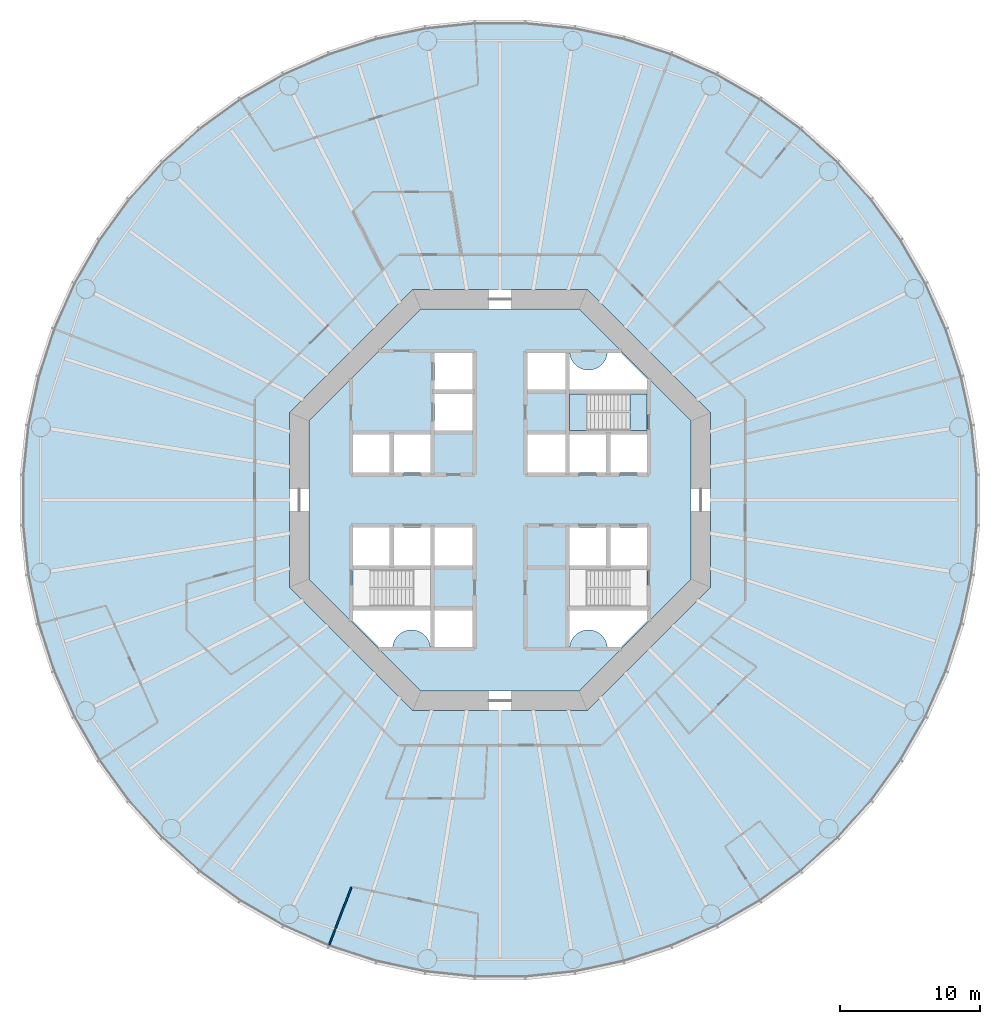
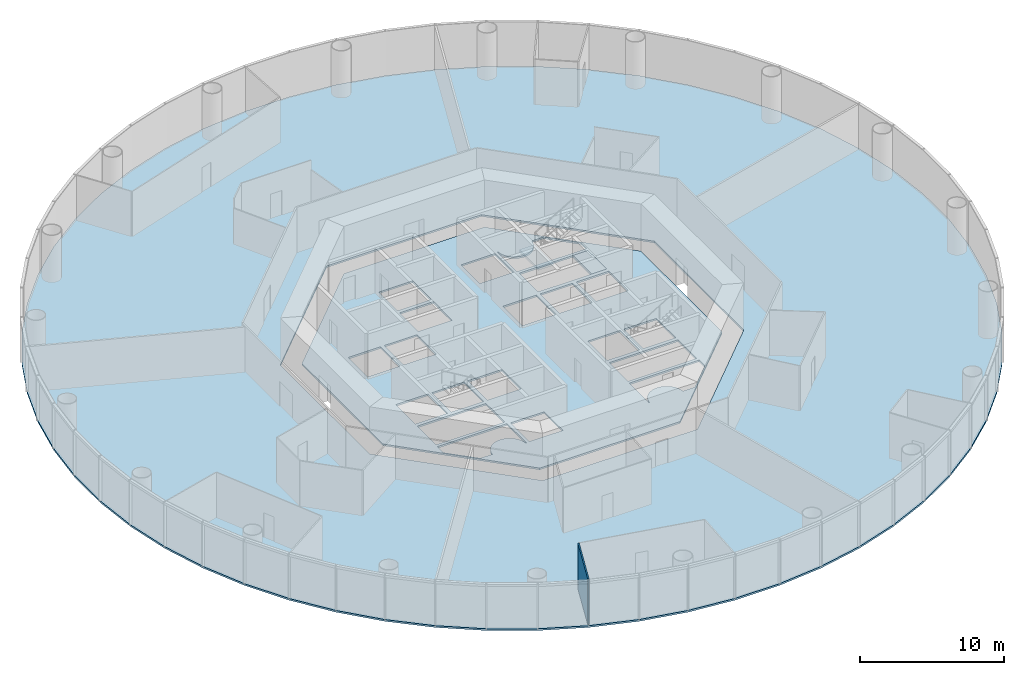
# One storey, part 2 of 13: 4 slabs, 1 wall, 1 element without a shape of its own.
"""IFC4 building model written with IfcOpenShell, lengths in metres."""

from ifc_helpers import new_model, si_unit, direction, frame, frame_2d, origin, place, context, subcontext, project, spatial, polyline, rectangle, outline, extrude, material, layer, layer_set, type_object, element, aggregate, save


model = new_model("IFC4")

# Units and contexts
model_context = context("Model", 3, precision=1e-05, world=origin(), true_north=direction((0.0, 1.0)))
body_context = subcontext(model_context, "Body", "Model", "MODEL_VIEW")
ifc_project = project(units=[si_unit("LENGTHUNIT", "METRE"), si_unit("AREAUNIT", "SQUARE_METRE"), si_unit("VOLUMEUNIT", "CUBIC_METRE"), si_unit("PLANEANGLEUNIT", "RADIAN"), si_unit("MASSUNIT", "GRAM", prefix="KILO")], contexts=[model_context])

# Site, building, storey
site_placement = place(None, origin())
site = spatial("IfcSite", under=ifc_project, at=site_placement, CompositionType="ELEMENT")
building_placement = place(site_placement, origin())
building = spatial("IfcBuilding", under=site, at=building_placement, Name="Entoto Ring Tower", CompositionType="ELEMENT")
storey_placement = place(building_placement, frame((0.0, 0.0, 22.0)))
storey = spatial("IfcBuildingStorey", under=building, at=storey_placement, Name="L03", CompositionType="ELEMENT", Elevation=22.0)

# Slabs
ifc_material_1 = material(Name="Concrete C30/37", Category="concrete")
ifc_layer_1 = layer(ifc_material_1, 0.14990234375)
ifc_layer_set_1 = layer_set([ifc_layer_1], Name="Concrete C30/37")
slab_type_1 = type_object("IfcSlabType", Name="Composite floor slab 150 mm", PredefinedType="FLOOR", material=ifc_layer_set_1)
slab_1_placement = place(storey_placement, frame((0.0, 0.0, -0.14990234375)))
element("IfcSlab", 1, at=slab_1_placement, inside=storey, type_object=slab_type_1, Name="Floor slab L03", PredefinedType="FLOOR", context=body_context, shape_type="SweptSolid", body=[
    extrude(outline(polyline([(123.68017578125, 85.33447265625), (122.93798828125, 88.82568359375), (121.835205078125, 92.220458984375), (120.38330078125, 95.48095703125), (118.5986328125, 98.572265625), (116.500732421875, 101.459716796875), (114.1123046875, 104.1123046875), (111.459716796875, 106.500732421875), (108.572265625, 108.5986328125), (105.48095703125, 110.38330078125), (102.220458984375, 111.835205078125), (98.82568359375, 112.93798828125), (95.33447265625, 113.68017578125), (91.78466796875, 114.05322265625), (88.21533203125, 114.05322265625), (84.66552734375, 113.68017578125), (81.17431640625, 112.93798828125), (77.779541015625, 111.835205078125), (74.51904296875, 110.38330078125), (71.427734375, 108.5986328125), (68.540283203125, 106.500732421875), (65.8876953125, 104.1123046875), (63.499267578125, 101.459716796875), (61.4013671875, 98.572265625), (59.61669921875, 95.48095703125), (58.164794921875, 92.220458984375), (57.06201171875, 88.82568359375), (56.31982421875, 85.33447265625), (55.94677734375, 81.78466796875), (55.94677734375, 78.21533203125), (56.31982421875, 74.66552734375), (57.06201171875, 71.17431640625), (58.164794921875, 67.779541015625), (59.61669921875, 64.51904296875), (61.4013671875, 61.427734375), (63.499267578125, 58.540283203125), (65.8876953125, 55.8876953125), (68.540283203125, 53.499267578125), (71.427734375, 51.4013671875), (74.51904296875, 49.61669921875), (77.779541015625, 48.164794921875), (81.17431640625, 47.06201171875), (84.66552734375, 46.31982421875), (88.21533203125, 45.94677734375), (91.78466796875, 45.94677734375), (95.33447265625, 46.31982421875), (98.82568359375, 47.06201171875), (102.220458984375, 48.164794921875), (105.48095703125, 49.61669921875), (108.572265625, 51.4013671875), (111.459716796875, 53.499267578125), (114.1123046875, 55.8876953125), (116.500732421875, 58.540283203125), (118.5986328125, 61.427734375), (120.38330078125, 64.51904296875), (121.835205078125, 67.779541015625), (122.93798828125, 71.17431640625), (123.68017578125, 74.66552734375), (124.05322265625, 78.21533203125), (124.05322265625, 81.78466796875), (123.68017578125, 85.33447265625)]), holes=[polyline([(105.0, 73.786865234375), (105.0, 86.213134765625), (96.213134765625, 95.0), (83.786865234375, 95.0), (75.0, 86.213134765625), (75.0, 73.786865234375), (83.786865234375, 65.0), (96.213134765625, 65.0), (105.0, 73.786865234375)])]), origin(), (0.0, 0.0, 1.0), 0.14990234375),
])
ifc_material_2 = material(Name="Concrete C40/50", Category="concrete")
ifc_layer_2 = layer(ifc_material_2, 0.14990234375)
ifc_layer_set_2 = layer_set([ifc_layer_2], Name="Concrete C40/50")
slab_type_2 = type_object("IfcSlabType", Name="Core floor slab 150 mm reinforced concrete C40/50", PredefinedType="FLOOR", material=ifc_layer_set_2)
slab_2_placement = place(storey_placement, frame((0.0, 0.0, -0.14990234375)))
element("IfcSlab", 2, at=slab_2_placement, inside=storey, type_object=slab_type_2, Name="Core floor L03", PredefinedType="FLOOR", context=body_context, shape_type="SweptSolid", body=[
    extrude(outline(polyline([(103.60009765625, 74.36669921875), (103.60009765625, 85.63330078125), (95.63330078125, 93.60009765625), (84.36669921875, 93.60009765625), (76.39990234375, 85.63330078125), (76.39990234375, 74.36669921875), (84.36669921875, 66.39990234375), (95.63330078125, 66.39990234375), (103.60009765625, 74.36669921875)]), holes=[polyline([(100.449951171875, 84.949951171875), (100.449951171875, 87.550048828125), (94.949951171875, 87.550048828125), (94.949951171875, 84.949951171875), (100.449951171875, 84.949951171875)]), polyline([(85.050048828125, 72.449951171875), (85.050048828125, 75.050048828125), (79.550048828125, 75.050048828125), (79.550048828125, 72.449951171875), (85.050048828125, 72.449951171875)]), polyline([(100.449951171875, 72.449951171875), (100.449951171875, 75.050048828125), (94.949951171875, 75.050048828125), (94.949951171875, 72.449951171875), (100.449951171875, 72.449951171875)]), polyline([(94.949951171875, 81.949951171875), (97.550048828125, 81.949951171875), (97.550048828125, 84.64990234375), (94.949951171875, 84.64990234375), (94.949951171875, 81.949951171875)]), polyline([(97.85009765625, 81.949951171875), (100.449951171875, 81.949951171875), (100.449951171875, 84.64990234375), (97.85009765625, 84.64990234375), (97.85009765625, 81.949951171875)]), polyline([(82.449951171875, 81.949951171875), (85.050048828125, 81.949951171875), (85.050048828125, 84.64990234375), (82.449951171875, 84.64990234375), (82.449951171875, 81.949951171875)]), polyline([(94.949951171875, 75.35009765625), (97.550048828125, 75.35009765625), (97.550048828125, 78.050048828125), (94.949951171875, 78.050048828125), (94.949951171875, 75.35009765625)]), polyline([(97.85009765625, 75.35009765625), (100.449951171875, 75.35009765625), (100.449951171875, 78.050048828125), (97.85009765625, 78.050048828125), (97.85009765625, 75.35009765625)]), polyline([(82.449951171875, 75.35009765625), (85.050048828125, 75.35009765625), (85.050048828125, 78.050048828125), (82.449951171875, 78.050048828125), (82.449951171875, 75.35009765625)]), polyline([(79.550048828125, 81.949951171875), (82.14990234375, 81.949951171875), (82.14990234375, 84.64990234375), (79.550048828125, 84.64990234375), (79.550048828125, 81.949951171875)]), polyline([(79.550048828125, 75.35009765625), (82.14990234375, 75.35009765625), (82.14990234375, 78.050048828125), (79.550048828125, 78.050048828125), (79.550048828125, 75.35009765625)]), polyline([(91.949951171875, 87.85009765625), (94.64990234375, 87.85009765625), (94.64990234375, 90.449951171875), (91.949951171875, 90.449951171875), (91.949951171875, 87.85009765625)]), polyline([(85.35009765625, 69.550048828125), (88.050048828125, 69.550048828125), (88.050048828125, 72.14990234375), (85.35009765625, 72.14990234375), (85.35009765625, 69.550048828125)]), polyline([(91.949951171875, 81.949951171875), (94.64990234375, 81.949951171875), (94.64990234375, 84.64990234375), (91.949951171875, 84.64990234375), (91.949951171875, 81.949951171875)]), polyline([(85.35009765625, 75.35009765625), (88.050048828125, 75.35009765625), (88.050048828125, 78.050048828125), (85.35009765625, 78.050048828125), (85.35009765625, 75.35009765625)]), polyline([(85.35009765625, 84.949951171875), (88.050048828125, 84.949951171875), (88.050048828125, 87.550048828125), (85.35009765625, 87.550048828125), (85.35009765625, 84.949951171875)]), polyline([(85.35009765625, 87.85009765625), (88.050048828125, 87.85009765625), (88.050048828125, 90.449951171875), (85.35009765625, 90.449951171875), (85.35009765625, 87.85009765625)]), polyline([(94.89990234375, 90.5), (94.89990234375, 87.800048828125), (100.5, 87.800048828125), (100.5, 88.591796875), (98.591796875, 90.5), (97.64501953125, 90.5), (97.6435546875, 90.4677734375), (97.6240234375, 90.336669921875), (97.591796875, 90.2080078125), (97.547119140625, 90.08349609375), (97.490478515625, 89.963623046875), (97.422607421875, 89.85009765625), (97.343505859375, 89.74365234375), (97.254638671875, 89.6455078125), (97.156494140625, 89.556396484375), (97.050048828125, 89.4775390625), (96.936279296875, 89.409423828125), (96.816650390625, 89.352783203125), (96.69189453125, 89.30810546875), (96.5634765625, 89.27587890625), (96.432373046875, 89.256591796875), (96.300048828125, 89.25), (96.167724609375, 89.256591796875), (96.03662109375, 89.27587890625), (95.908203125, 89.30810546875), (95.783447265625, 89.352783203125), (95.66357421875, 89.409423828125), (95.550048828125, 89.4775390625), (95.443603515625, 89.556396484375), (95.345458984375, 89.6455078125), (95.25634765625, 89.74365234375), (95.177490234375, 89.85009765625), (95.109375, 89.963623046875), (95.052734375, 90.08349609375), (95.008056640625, 90.2080078125), (94.975830078125, 90.336669921875), (94.95654296875, 90.4677734375), (94.954833984375, 90.5), (94.89990234375, 90.5)]), polyline([(79.5, 71.408203125), (81.408203125, 69.5), (82.35498046875, 69.5), (82.3564453125, 69.5322265625), (82.3759765625, 69.663330078125), (82.408203125, 69.7919921875), (82.452880859375, 69.91650390625), (82.509521484375, 70.036376953125), (82.577392578125, 70.14990234375), (82.656494140625, 70.25634765625), (82.745361328125, 70.3544921875), (82.843505859375, 70.443603515625), (82.949951171875, 70.5224609375), (83.063720703125, 70.590576171875), (83.183349609375, 70.647216796875), (83.30810546875, 70.69189453125), (83.4365234375, 70.72412109375), (83.567626953125, 70.743408203125), (83.699951171875, 70.75), (83.832275390625, 70.743408203125), (83.96337890625, 70.72412109375), (84.091796875, 70.69189453125), (84.216552734375, 70.647216796875), (84.33642578125, 70.590576171875), (84.449951171875, 70.5224609375), (84.556396484375, 70.443603515625), (84.654541015625, 70.3544921875), (84.74365234375, 70.25634765625), (84.822509765625, 70.14990234375), (84.890625, 70.036376953125), (84.947265625, 69.91650390625), (84.991943359375, 69.7919921875), (85.024169921875, 69.663330078125), (85.04345703125, 69.5322265625), (85.045166015625, 69.5), (85.10009765625, 69.5), (85.10009765625, 72.199951171875), (79.5, 72.199951171875), (79.5, 71.408203125)]), polyline([(97.64501953125, 69.5), (98.591796875, 69.5), (100.5, 71.408203125), (100.5, 72.199951171875), (94.89990234375, 72.199951171875), (94.89990234375, 69.5), (94.954833984375, 69.5), (94.95654296875, 69.5322265625), (94.975830078125, 69.663330078125), (95.008056640625, 69.7919921875), (95.052734375, 69.91650390625), (95.109375, 70.036376953125), (95.177490234375, 70.14990234375), (95.25634765625, 70.25634765625), (95.345458984375, 70.3544921875), (95.443603515625, 70.443603515625), (95.550048828125, 70.5224609375), (95.66357421875, 70.590576171875), (95.783447265625, 70.647216796875), (95.908203125, 70.69189453125), (96.03662109375, 70.72412109375), (96.167724609375, 70.743408203125), (96.300048828125, 70.75), (96.432373046875, 70.743408203125), (96.5634765625, 70.72412109375), (96.69189453125, 70.69189453125), (96.816650390625, 70.647216796875), (96.936279296875, 70.590576171875), (97.050048828125, 70.5224609375), (97.156494140625, 70.443603515625), (97.254638671875, 70.3544921875), (97.343505859375, 70.25634765625), (97.422607421875, 70.14990234375), (97.490478515625, 70.036376953125), (97.547119140625, 69.91650390625), (97.591796875, 69.7919921875), (97.6240234375, 69.663330078125), (97.6435546875, 69.5322265625), (97.64501953125, 69.5)])]), origin(), (0.0, 0.0, 1.0), 0.14990234375),
])

# Stair, slabs
ifc_material_3 = material(Name="Concrete C40/50", Category="concrete")
stair_type = type_object("IfcStairType", Name="Exit stair 1200 mm dog-leg reinforced concrete", PredefinedType="HALF_TURN_STAIR", material=ifc_material_3)
stair_placement = place(storey_placement, origin())
stair = element("IfcStair", 3, at=stair_placement, inside=storey, type_object=stair_type, Name="Exit stair 1", PredefinedType="HALF_TURN_STAIR")
ifc_material_4 = material(Name="Concrete C40/50", Category="concrete")
ifc_layer_3 = layer(ifc_material_4, 0.199951171875)
ifc_layer_set_3 = layer_set([ifc_layer_3], Name="Concrete C40/50")
slab_type_3 = type_object("IfcSlabType", Name="Stair landing 200 mm reinforced concrete", PredefinedType="LANDING", material=ifc_layer_set_3)
slab_3_placement = place(storey_placement, frame((0.0, 0.0, -0.199951171875)))
slab_3 = element("IfcSlab", 4, at=slab_3_placement, type_object=slab_type_3, Name="ST1 landing 1", PredefinedType="LANDING", context=body_context, shape_type="SweptSolid", body=[
    extrude(outline(polyline([(100.449951171875, 84.949951171875), (100.449951171875, 87.550048828125), (99.25, 87.550048828125), (99.25, 84.949951171875), (100.449951171875, 84.949951171875)])), origin(), (0.0, 0.0, 1.0), 0.199951171875),
])
slab_4_placement = place(storey_placement, frame((0.0, 0.0, 1.800048828125)))
slab_4 = element("IfcSlab", 5, at=slab_4_placement, type_object=slab_type_3, Name="ST1 landing 2", PredefinedType="LANDING", context=body_context, shape_type="SweptSolid", body=[
    extrude(outline(polyline([(94.949951171875, 84.949951171875), (96.169921875, 84.949951171875), (96.169921875, 87.550048828125), (94.949951171875, 87.550048828125), (94.949951171875, 84.949951171875)])), origin(), (0.0, 0.0, 1.0), 0.199951171875),
])
aggregate(stair, [slab_3, slab_4])

# Wall
ifc_material_5 = material(Name="Plasterboard on steel studs", Category="steel")
ifc_layer_4 = layer(ifc_material_5, 0.10009765625)
ifc_layer_set_4 = layer_set([ifc_layer_4], Name="Plasterboard on steel studs")
wall_type = type_object("IfcWallType", Name="Partition 100 mm plasterboard on steel studs", PredefinedType="PARTITIONING", material=ifc_layer_set_4)
wall_placement = place(storey_placement, frame((77.8369140625, 48.314208984375, 0.0), z_axis=(0.0, 0.0, 1.0), x_axis=(0.358384196855, 0.933574189577, 0.0)))
element("IfcWall", 6, at=wall_placement, inside=storey, type_object=wall_type, Name="partition-L03-034", PredefinedType="PARTITIONING", context=body_context, shape_type="SweptSolid", body=[
    extrude(rectangle(XDim=4.400634765625, YDim=0.10009765625, at=frame_2d((2.2001953125, 0.0))), origin(), (0.0, 0.0, 1.0), 3.85009765625),
])

save(model, "model.ifc")
